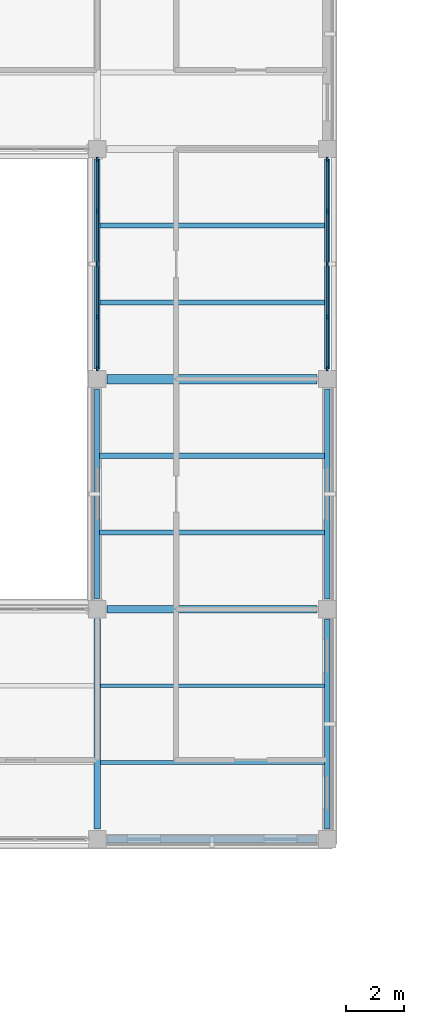
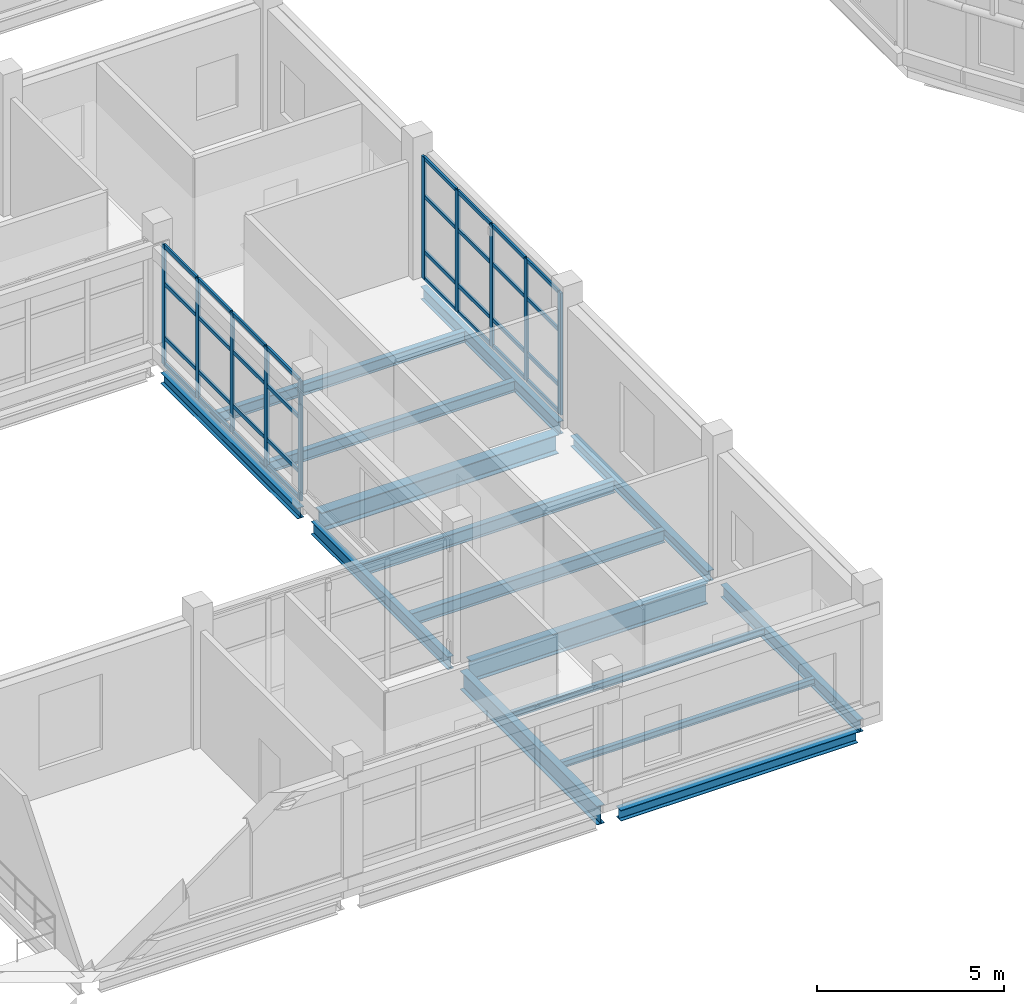
# One storey, part 11 of 121: 42 members, 15 beams, 2 elements without a shape of their own.
"""IFC4 building model written with IfcOpenShell, lengths in metres."""

from ifc_helpers import new_model, si_unit, derived_unit, direction, frame, origin, origin_2d, place, context, subcontext, project, spatial, rectangle, i_section, extrude, material, layer, layer_set, material_profile, profile_set, type_object, element, aggregate, save


model = new_model("IFC4")

# Units and contexts
model_context = context("Model", 3, precision=1e-05, world=origin(), true_north=direction((0.0, 1.0)))
body_context = subcontext(model_context, "Body", "Model", "MODEL_VIEW")
ifc_project = project(units=[si_unit("LENGTHUNIT", "METRE"), si_unit("AREAUNIT", "SQUARE_METRE"), si_unit("VOLUMEUNIT", "CUBIC_METRE"), si_unit("PLANEANGLEUNIT", "RADIAN"), si_unit("MASSUNIT", "GRAM", prefix="KILO"), derived_unit("THERMALTRANSMITTANCEUNIT", [(si_unit("MASSUNIT", "GRAM", prefix="KILO"), 1), (si_unit("TIMEUNIT", "SECOND"), -3), (si_unit("THERMODYNAMICTEMPERATUREUNIT", "KELVIN"), -1)])], contexts=[model_context])

# Site, building, storey
site_placement = place(None, origin())
site = spatial("IfcSite", under=ifc_project, at=site_placement, CompositionType="ELEMENT")
building_placement = place(site_placement, origin())
building = spatial("IfcBuilding", under=site, at=building_placement, Name="Veyamyaing Civic Hall", CompositionType="ELEMENT")
storey_placement = place(building_placement, frame((0.0, 0.0, 5.280029296875)))
storey = spatial("IfcBuildingStorey", under=building, at=storey_placement, Name="L01", CompositionType="ELEMENT", Elevation=5.280029296875)

# Beams
ifc_material_1 = material(Name="Steel ASTM A992", Category="steel")
ifc_material_profile_1 = material_profile(ifc_material_1, i_section(OverallWidth=0.22802734375, OverallDepth=0.60791015625, WebThickness=0.01123046875, FlangeThickness=0.017333984375, FilletRadius=0.012939453125, at=origin_2d()), Name="W610X113")
ifc_profile_set_1 = profile_set([ifc_material_profile_1], Name="Steel ASTM A992")
beam_type_1 = type_object("IfcBeamType", Name="B-06", PredefinedType="BEAM", material=ifc_profile_set_1)
beam_1_placement = place(storey_placement, frame((32.0, 8.35009765625, -0.549072265625), z_axis=(0.0, 1.0, 0.0), x_axis=(-1.0, 0.0, 0.0)))
element("IfcBeam", 1, at=beam_1_placement, inside=storey, type_object=beam_type_1, Name="Girder B-06 L01 Grid 5 B-C", PredefinedType="BEAM", context=body_context, shape_type="SweptSolid", body=[
    extrude(i_section(OverallWidth=0.22802734375, OverallDepth=0.60791015625, WebThickness=0.01123046875, FlangeThickness=0.017333984375, FilletRadius=0.012939453125, at=origin_2d()), origin(), (0.0, 0.0, 1.0), 7.2998046875),
])
ifc_material_profile_2 = material_profile(ifc_material_1, i_section(OverallWidth=0.179931640625, OverallDepth=0.4130859375, WebThickness=0.009765625, FlangeThickness=0.01611328125, FilletRadius=0.010009765625, at=origin_2d()), Name="W410X74")
ifc_profile_set_2 = profile_set([ifc_material_profile_2], Name="Steel ASTM A992")
beam_type_2 = type_object("IfcBeamType", Name="B-10", PredefinedType="SPANDREL", material=ifc_profile_set_2)
for number, where, z_axis, x_axis, name in (
    (2, (32.0, 16.35009765625, -0.451416015625), (0.0, 1.0, 0.0), (-1.0, 0.0, 0.0), "Girder B-10 L01 Grid 5 C-D"),
    (3, (40.0, 8.35009765625, -0.451416015625), (0.0, 1.0, 0.0), (-1.0, 0.0, 0.0), "Girder B-10 L01 Grid 6 B-C"),
):
    element("IfcBeam", number, at=place(storey_placement, frame(where, z_axis=z_axis, x_axis=x_axis)), inside=storey, type_object=beam_type_2, Name=name, PredefinedType="SPANDREL", context=body_context, shape_type="SweptSolid", body=[
        extrude(i_section(OverallWidth=0.179931640625, OverallDepth=0.4130859375, WebThickness=0.009765625, FlangeThickness=0.01611328125, FilletRadius=0.010009765625, at=origin_2d()), origin(), (0.0, 0.0, 1.0), 7.2998046875),
    ])
ifc_material_profile_3 = material_profile(ifc_material_1, i_section(OverallWidth=0.2041015625, OverallDepth=0.35009765625, WebThickness=0.0078125, FlangeThickness=0.01513671875, FilletRadius=0.010009765625, at=origin_2d()), Name="W360X72")
ifc_profile_set_3 = profile_set([ifc_material_profile_3], Name="Steel ASTM A992")
beam_type_3 = type_object("IfcBeamType", Name="B-11", PredefinedType="SPANDREL", material=ifc_profile_set_3)
for number, where, z_axis, x_axis, name in (
    (4, (32.0, 24.35009765625, -0.419921875), (0.0, 1.0, 0.0), (-1.0, 0.0, 0.0), "Girder B-11 L01 Grid 5 D-E"),
    (5, (40.0, 16.35009765625, -0.419921875), (0.0, 1.0, 0.0), (-1.0, 0.0, 0.0), "Girder B-11 L01 Grid 6 C-D"),
):
    element("IfcBeam", number, at=place(storey_placement, frame(where, z_axis=z_axis, x_axis=x_axis)), inside=storey, type_object=beam_type_3, Name=name, PredefinedType="SPANDREL", context=body_context, shape_type="SweptSolid", body=[
        extrude(i_section(OverallWidth=0.2041015625, OverallDepth=0.35009765625, WebThickness=0.0078125, FlangeThickness=0.01513671875, FilletRadius=0.010009765625, at=origin_2d()), origin(), (0.0, 0.0, 1.0), 7.2998046875),
    ])
ifc_material_profile_4 = material_profile(ifc_material_1, i_section(OverallWidth=0.25390625, OverallDepth=0.68408203125, WebThickness=0.012451171875, FlangeThickness=0.01904296875, FilletRadius=0.013916015625, at=origin_2d()), Name="W690X140")
ifc_profile_set_4 = profile_set([ifc_material_profile_4], Name="Steel ASTM A992")
beam_type_4 = type_object("IfcBeamType", Name="B-14", PredefinedType="BEAM", material=ifc_profile_set_4)
beam_2_placement = place(storey_placement, frame((32.35009765625, 16.0, -0.5869140625), z_axis=(1.0, 0.0, 0.0), x_axis=(0.0, 1.0, 0.0)))
element("IfcBeam", 6, at=beam_2_placement, inside=storey, type_object=beam_type_4, Name="Girder B-14 L01 Grid C 5-6", PredefinedType="BEAM", context=body_context, shape_type="SweptSolid", body=[
    extrude(i_section(OverallWidth=0.25390625, OverallDepth=0.68408203125, WebThickness=0.012451171875, FlangeThickness=0.01904296875, FilletRadius=0.013916015625, at=origin_2d()), origin(), (0.0, 0.0, 1.0), 7.2998046875),
])
ifc_material_profile_5 = material_profile(ifc_material_1, i_section(OverallWidth=0.324951171875, OverallDepth=0.615966796875, WebThickness=0.013916015625, FlangeThickness=0.021484375, FilletRadius=0.013916015625, at=origin_2d()), Name="W610X174")
ifc_profile_set_5 = profile_set([ifc_material_profile_5], Name="Steel ASTM A992")
beam_type_5 = type_object("IfcBeamType", Name="B-15", PredefinedType="BEAM", material=ifc_profile_set_5)
beam_3_placement = place(storey_placement, frame((32.35009765625, 24.0, -0.552978515625), z_axis=(1.0, 0.0, 0.0), x_axis=(0.0, 1.0, 0.0)))
element("IfcBeam", 7, at=beam_3_placement, inside=storey, type_object=beam_type_5, Name="Girder B-15 L01 Grid D 5-6", PredefinedType="BEAM", context=body_context, shape_type="SweptSolid", body=[
    extrude(i_section(OverallWidth=0.324951171875, OverallDepth=0.615966796875, WebThickness=0.013916015625, FlangeThickness=0.021484375, FilletRadius=0.013916015625, at=origin_2d()), origin(), (0.0, 0.0, 1.0), 7.2998046875),
])
ifc_material_profile_6 = material_profile(ifc_material_1, i_section(OverallWidth=0.180908203125, OverallDepth=0.4169921875, WebThickness=0.010986328125, FlangeThickness=0.018310546875, FilletRadius=0.010009765625, at=origin_2d()), Name="W410X85")
ifc_profile_set_6 = profile_set([ifc_material_profile_6], Name="Steel ASTM A992")
beam_type_6 = type_object("IfcBeamType", Name="B-19", PredefinedType="SPANDREL", material=ifc_profile_set_6)
beam_4_placement = place(storey_placement, frame((40.0, 24.35009765625, -0.45361328125), z_axis=(0.0, 1.0, 0.0), x_axis=(-1.0, 0.0, 0.0)))
element("IfcBeam", 8, at=beam_4_placement, inside=storey, type_object=beam_type_6, Name="Girder B-19 L01 Grid 6 D-E", PredefinedType="SPANDREL", context=body_context, shape_type="SweptSolid", body=[
    extrude(i_section(OverallWidth=0.180908203125, OverallDepth=0.4169921875, WebThickness=0.010986328125, FlangeThickness=0.018310546875, FilletRadius=0.010009765625, at=origin_2d()), origin(), (0.0, 0.0, 1.0), 7.2998046875),
])
ifc_material_profile_7 = material_profile(ifc_material_1, i_section(OverallWidth=0.25390625, OverallDepth=0.35302734375, WebThickness=0.009521484375, FlangeThickness=0.016357421875, FilletRadius=0.011962890625, at=origin_2d()), Name="W360X91")
ifc_profile_set_7 = profile_set([ifc_material_profile_7], Name="Steel ASTM A992")
beam_type_7 = type_object("IfcBeamType", Name="B-20", PredefinedType="SPANDREL", material=ifc_profile_set_7)
beam_5_placement = place(storey_placement, frame((32.35009765625, 8.0, -0.421630859375), z_axis=(1.0, 0.0, 0.0), x_axis=(0.0, 1.0, 0.0)))
element("IfcBeam", 9, at=beam_5_placement, inside=storey, type_object=beam_type_7, Name="Girder B-20 L01 Grid B 5-6", PredefinedType="SPANDREL", context=body_context, shape_type="SweptSolid", body=[
    extrude(i_section(OverallWidth=0.25390625, OverallDepth=0.35302734375, WebThickness=0.009521484375, FlangeThickness=0.016357421875, FilletRadius=0.011962890625, at=origin_2d()), origin(), (0.0, 0.0, 1.0), 7.2998046875),
])

# Curtain wall, members
ifc_material_2 = material(Name="Anodised aluminium 6063-T6", Category="aluminium")
ifc_layer = layer(ifc_material_2, 0.159912109375, Name="Anodised aluminium 6063-T6")
ifc_layer_set = layer_set([ifc_layer], Name="Anodised aluminium 6063-T6")
curtain_wall_type = type_object("IfcCurtainWallType", Name="CW-02", PredefinedType="NOTDEFINED", material=ifc_layer_set)
curtain_wall_1_placement = place(storey_placement, origin())
curtain_wall_1 = element("IfcCurtainWall", 10, at=curtain_wall_1_placement, inside=storey, type_object=curtain_wall_type, Name="Unitized curtain wall CW-02 L01 W 5.4", PredefinedType="NOTDEFINED")
ifc_material_profile_8 = material_profile(ifc_material_2, rectangle(XDim=0.06494140625, YDim=0.159912109375, at=origin_2d()), Name="ALU-MUL-65X160")
ifc_profile_set_8 = profile_set([ifc_material_profile_8], Name="Anodised aluminium 6063-T6")
member_type_1 = type_object("IfcMemberType", Name="CWM-01", PredefinedType="MULLION", material=ifc_profile_set_8)
member_1_placement = place(storey_placement, frame((32.0, 24.362548828125, 0.0), z_axis=(0.0, 0.0, 1.0), x_axis=(-1.0, 0.0, 0.0)))
member_1 = element("IfcMember", 11, at=member_1_placement, type_object=member_type_1, Name="CW-02 mullion 1", PredefinedType="MULLION", context=body_context, shape_type="SweptSolid", body=[
    extrude(rectangle(XDim=0.06494140625, YDim=0.159912109375, at=origin_2d()), origin(), (0.0, 0.0, 1.0), 3.909912109375),
])
member_2_placement = place(storey_placement, frame((32.0, 26.1650390625, 0.0), z_axis=(0.0, 0.0, 1.0), x_axis=(-1.0, 0.0, 0.0)))
member_2 = element("IfcMember", 12, at=member_2_placement, type_object=member_type_1, Name="CW-02 mullion 2", PredefinedType="MULLION", context=body_context, shape_type="SweptSolid", body=[
    extrude(rectangle(XDim=0.06494140625, YDim=0.159912109375, at=origin_2d()), origin(), (0.0, 0.0, 1.0), 3.909912109375),
])
member_3_placement = place(storey_placement, frame((32.0, 28.0, 0.0), z_axis=(0.0, 0.0, 1.0), x_axis=(-1.0, 0.0, 0.0)))
member_3 = element("IfcMember", 13, at=member_3_placement, type_object=member_type_1, Name="CW-02 mullion 3", PredefinedType="MULLION", context=body_context, shape_type="SweptSolid", body=[
    extrude(rectangle(XDim=0.06494140625, YDim=0.159912109375, at=origin_2d()), origin(), (0.0, 0.0, 1.0), 3.909912109375),
])
member_4_placement = place(storey_placement, frame((32.0, 29.8349609375, 0.0), z_axis=(0.0, 0.0, 1.0), x_axis=(-1.0, 0.0, 0.0)))
member_4 = element("IfcMember", 14, at=member_4_placement, type_object=member_type_1, Name="CW-02 mullion 4", PredefinedType="MULLION", context=body_context, shape_type="SweptSolid", body=[
    extrude(rectangle(XDim=0.06494140625, YDim=0.159912109375, at=origin_2d()), origin(), (0.0, 0.0, 1.0), 3.909912109375),
])
member_5_placement = place(storey_placement, frame((32.0, 31.637451171875, 0.0), z_axis=(0.0, 0.0, 1.0), x_axis=(-1.0, 0.0, 0.0)))
member_5 = element("IfcMember", 15, at=member_5_placement, type_object=member_type_1, Name="CW-02 mullion 5", PredefinedType="MULLION", context=body_context, shape_type="SweptSolid", body=[
    extrude(rectangle(XDim=0.06494140625, YDim=0.159912109375, at=origin_2d()), origin(), (0.0, 0.0, 1.0), 3.909912109375),
])

curtain_wall_2_placement = place(storey_placement, origin())
curtain_wall_2 = element("IfcCurtainWall", 16, at=curtain_wall_2_placement, inside=storey, type_object=curtain_wall_type, Name="Unitized curtain wall CW-02 L01 E 5.4", PredefinedType="NOTDEFINED")
member_6_placement = place(storey_placement, frame((40.0, 24.362548828125, 0.0), z_axis=(0.0, 0.0, 1.0), x_axis=(-1.0, 0.0, 0.0)))
member_6 = element("IfcMember", 17, at=member_6_placement, type_object=member_type_1, Name="CW-02 mullion 1", PredefinedType="MULLION", context=body_context, shape_type="SweptSolid", body=[
    extrude(rectangle(XDim=0.06494140625, YDim=0.159912109375, at=origin_2d()), origin(), (0.0, 0.0, 1.0), 3.973876953125),
])
member_7_placement = place(storey_placement, frame((40.0, 26.1650390625, 0.0), z_axis=(0.0, 0.0, 1.0), x_axis=(-1.0, 0.0, 0.0)))
member_7 = element("IfcMember", 18, at=member_7_placement, type_object=member_type_1, Name="CW-02 mullion 2", PredefinedType="MULLION", context=body_context, shape_type="SweptSolid", body=[
    extrude(rectangle(XDim=0.06494140625, YDim=0.159912109375, at=origin_2d()), origin(), (0.0, 0.0, 1.0), 3.973876953125),
])
member_8_placement = place(storey_placement, frame((40.0, 28.0, 0.0), z_axis=(0.0, 0.0, 1.0), x_axis=(-1.0, 0.0, 0.0)))
member_8 = element("IfcMember", 19, at=member_8_placement, type_object=member_type_1, Name="CW-02 mullion 3", PredefinedType="MULLION", context=body_context, shape_type="SweptSolid", body=[
    extrude(rectangle(XDim=0.06494140625, YDim=0.159912109375, at=origin_2d()), origin(), (0.0, 0.0, 1.0), 3.973876953125),
])
member_9_placement = place(storey_placement, frame((40.0, 29.8349609375, 0.0), z_axis=(0.0, 0.0, 1.0), x_axis=(-1.0, 0.0, 0.0)))
member_9 = element("IfcMember", 20, at=member_9_placement, type_object=member_type_1, Name="CW-02 mullion 4", PredefinedType="MULLION", context=body_context, shape_type="SweptSolid", body=[
    extrude(rectangle(XDim=0.06494140625, YDim=0.159912109375, at=origin_2d()), origin(), (0.0, 0.0, 1.0), 3.973876953125),
])
member_10_placement = place(storey_placement, frame((40.0, 31.637451171875, 0.0), z_axis=(0.0, 0.0, 1.0), x_axis=(-1.0, 0.0, 0.0)))
member_10 = element("IfcMember", 21, at=member_10_placement, type_object=member_type_1, Name="CW-02 mullion 5", PredefinedType="MULLION", context=body_context, shape_type="SweptSolid", body=[
    extrude(rectangle(XDim=0.06494140625, YDim=0.159912109375, at=origin_2d()), origin(), (0.0, 0.0, 1.0), 3.973876953125),
])

# Member
ifc_material_profile_9 = material_profile(ifc_material_2, rectangle(XDim=0.06494140625, YDim=0.1201171875, at=origin_2d()), Name="ALU-TRN-65X120")
ifc_profile_set_9 = profile_set([ifc_material_profile_9], Name="Anodised aluminium 6063-T6")
member_type_2 = type_object("IfcMemberType", Name="CWT-01", PredefinedType="USERDEFINED", material=ifc_profile_set_9)
member_11_placement = place(storey_placement, frame((32.0, 24.39501953125, 0.032470703125), z_axis=(0.0, 1.0, 0.0), x_axis=(-1.0, 0.0, 0.0)))
member_11 = element("IfcMember", 22, at=member_11_placement, type_object=member_type_2, Name="CW-02 transom 1.1", ObjectType="TRANSOM", PredefinedType="USERDEFINED", context=body_context, shape_type="SweptSolid", body=[
    extrude(rectangle(XDim=0.06494140625, YDim=0.1201171875, at=origin_2d()), origin(), (0.0, 0.0, 1.0), 1.737548828125),
])

member_12_placement = place(storey_placement, frame((32.0, 24.39501953125, 0.89990234375), z_axis=(0.0, 1.0, 0.0), x_axis=(-1.0, 0.0, 0.0)))
member_12 = element("IfcMember", 23, at=member_12_placement, type_object=member_type_2, Name="CW-02 transom 1.2", ObjectType="TRANSOM", PredefinedType="USERDEFINED", context=body_context, shape_type="SweptSolid", body=[
    extrude(rectangle(XDim=0.06494140625, YDim=0.1201171875, at=origin_2d()), origin(), (0.0, 0.0, 1.0), 1.737548828125),
])

member_13_placement = place(storey_placement, frame((32.0, 24.39501953125, 2.65869140625), z_axis=(0.0, 1.0, 0.0), x_axis=(-1.0, 0.0, 0.0)))
member_13 = element("IfcMember", 24, at=member_13_placement, type_object=member_type_2, Name="CW-02 transom 1.3", ObjectType="TRANSOM", PredefinedType="USERDEFINED", context=body_context, shape_type="SweptSolid", body=[
    extrude(rectangle(XDim=0.06494140625, YDim=0.1201171875, at=origin_2d()), origin(), (0.0, 0.0, 1.0), 1.737548828125),
])

member_14_placement = place(storey_placement, frame((32.0, 24.39501953125, 3.87744140625), z_axis=(0.0, 1.0, 0.0), x_axis=(-1.0, 0.0, 0.0)))
member_14 = element("IfcMember", 25, at=member_14_placement, type_object=member_type_2, Name="CW-02 transom 1.4", ObjectType="TRANSOM", PredefinedType="USERDEFINED", context=body_context, shape_type="SweptSolid", body=[
    extrude(rectangle(XDim=0.06494140625, YDim=0.1201171875, at=origin_2d()), origin(), (0.0, 0.0, 1.0), 1.737548828125),
])

member_15_placement = place(storey_placement, frame((32.0, 26.197509765625, 0.032470703125), z_axis=(0.0, 1.0, 0.0), x_axis=(-1.0, 0.0, 0.0)))
member_15 = element("IfcMember", 26, at=member_15_placement, type_object=member_type_2, Name="CW-02 transom 2.1", ObjectType="TRANSOM", PredefinedType="USERDEFINED", context=body_context, shape_type="SweptSolid", body=[
    extrude(rectangle(XDim=0.06494140625, YDim=0.1201171875, at=origin_2d()), origin(), (0.0, 0.0, 1.0), 1.77001953125),
])

member_16_placement = place(storey_placement, frame((32.0, 26.197509765625, 0.89990234375), z_axis=(0.0, 1.0, 0.0), x_axis=(-1.0, 0.0, 0.0)))
member_16 = element("IfcMember", 27, at=member_16_placement, type_object=member_type_2, Name="CW-02 transom 2.2", ObjectType="TRANSOM", PredefinedType="USERDEFINED", context=body_context, shape_type="SweptSolid", body=[
    extrude(rectangle(XDim=0.06494140625, YDim=0.1201171875, at=origin_2d()), origin(), (0.0, 0.0, 1.0), 1.77001953125),
])

member_17_placement = place(storey_placement, frame((32.0, 26.197509765625, 2.65869140625), z_axis=(0.0, 1.0, 0.0), x_axis=(-1.0, 0.0, 0.0)))
member_17 = element("IfcMember", 28, at=member_17_placement, type_object=member_type_2, Name="CW-02 transom 2.3", ObjectType="TRANSOM", PredefinedType="USERDEFINED", context=body_context, shape_type="SweptSolid", body=[
    extrude(rectangle(XDim=0.06494140625, YDim=0.1201171875, at=origin_2d()), origin(), (0.0, 0.0, 1.0), 1.77001953125),
])

member_18_placement = place(storey_placement, frame((32.0, 26.197509765625, 3.87744140625), z_axis=(0.0, 1.0, 0.0), x_axis=(-1.0, 0.0, 0.0)))
member_18 = element("IfcMember", 29, at=member_18_placement, type_object=member_type_2, Name="CW-02 transom 2.4", ObjectType="TRANSOM", PredefinedType="USERDEFINED", context=body_context, shape_type="SweptSolid", body=[
    extrude(rectangle(XDim=0.06494140625, YDim=0.1201171875, at=origin_2d()), origin(), (0.0, 0.0, 1.0), 1.77001953125),
])

member_19_placement = place(storey_placement, frame((32.0, 28.032470703125, 0.032470703125), z_axis=(0.0, 1.0, 0.0), x_axis=(-1.0, 0.0, 0.0)))
member_19 = element("IfcMember", 30, at=member_19_placement, type_object=member_type_2, Name="CW-02 transom 3.1", ObjectType="TRANSOM", PredefinedType="USERDEFINED", context=body_context, shape_type="SweptSolid", body=[
    extrude(rectangle(XDim=0.06494140625, YDim=0.1201171875, at=origin_2d()), origin(), (0.0, 0.0, 1.0), 1.77001953125),
])

member_20_placement = place(storey_placement, frame((32.0, 28.032470703125, 0.89990234375), z_axis=(0.0, 1.0, 0.0), x_axis=(-1.0, 0.0, 0.0)))
member_20 = element("IfcMember", 31, at=member_20_placement, type_object=member_type_2, Name="CW-02 transom 3.2", ObjectType="TRANSOM", PredefinedType="USERDEFINED", context=body_context, shape_type="SweptSolid", body=[
    extrude(rectangle(XDim=0.06494140625, YDim=0.1201171875, at=origin_2d()), origin(), (0.0, 0.0, 1.0), 1.77001953125),
])

member_21_placement = place(storey_placement, frame((32.0, 28.032470703125, 2.65869140625), z_axis=(0.0, 1.0, 0.0), x_axis=(-1.0, 0.0, 0.0)))
member_21 = element("IfcMember", 32, at=member_21_placement, type_object=member_type_2, Name="CW-02 transom 3.3", ObjectType="TRANSOM", PredefinedType="USERDEFINED", context=body_context, shape_type="SweptSolid", body=[
    extrude(rectangle(XDim=0.06494140625, YDim=0.1201171875, at=origin_2d()), origin(), (0.0, 0.0, 1.0), 1.77001953125),
])

member_22_placement = place(storey_placement, frame((32.0, 28.032470703125, 3.87744140625), z_axis=(0.0, 1.0, 0.0), x_axis=(-1.0, 0.0, 0.0)))
member_22 = element("IfcMember", 33, at=member_22_placement, type_object=member_type_2, Name="CW-02 transom 3.4", ObjectType="TRANSOM", PredefinedType="USERDEFINED", context=body_context, shape_type="SweptSolid", body=[
    extrude(rectangle(XDim=0.06494140625, YDim=0.1201171875, at=origin_2d()), origin(), (0.0, 0.0, 1.0), 1.77001953125),
])

member_23_placement = place(storey_placement, frame((32.0, 29.867431640625, 0.032470703125), z_axis=(0.0, 1.0, 0.0), x_axis=(-1.0, 0.0, 0.0)))
member_23 = element("IfcMember", 34, at=member_23_placement, type_object=member_type_2, Name="CW-02 transom 4.1", ObjectType="TRANSOM", PredefinedType="USERDEFINED", context=body_context, shape_type="SweptSolid", body=[
    extrude(rectangle(XDim=0.06494140625, YDim=0.1201171875, at=origin_2d()), origin(), (0.0, 0.0, 1.0), 1.737548828125),
])

member_24_placement = place(storey_placement, frame((32.0, 29.867431640625, 0.89990234375), z_axis=(0.0, 1.0, 0.0), x_axis=(-1.0, 0.0, 0.0)))
member_24 = element("IfcMember", 35, at=member_24_placement, type_object=member_type_2, Name="CW-02 transom 4.2", ObjectType="TRANSOM", PredefinedType="USERDEFINED", context=body_context, shape_type="SweptSolid", body=[
    extrude(rectangle(XDim=0.06494140625, YDim=0.1201171875, at=origin_2d()), origin(), (0.0, 0.0, 1.0), 1.737548828125),
])

member_25_placement = place(storey_placement, frame((32.0, 29.867431640625, 2.65869140625), z_axis=(0.0, 1.0, 0.0), x_axis=(-1.0, 0.0, 0.0)))
member_25 = element("IfcMember", 36, at=member_25_placement, type_object=member_type_2, Name="CW-02 transom 4.3", ObjectType="TRANSOM", PredefinedType="USERDEFINED", context=body_context, shape_type="SweptSolid", body=[
    extrude(rectangle(XDim=0.06494140625, YDim=0.1201171875, at=origin_2d()), origin(), (0.0, 0.0, 1.0), 1.737548828125),
])

member_26_placement = place(storey_placement, frame((32.0, 29.867431640625, 3.87744140625), z_axis=(0.0, 1.0, 0.0), x_axis=(-1.0, 0.0, 0.0)))
member_26 = element("IfcMember", 37, at=member_26_placement, type_object=member_type_2, Name="CW-02 transom 4.4", ObjectType="TRANSOM", PredefinedType="USERDEFINED", context=body_context, shape_type="SweptSolid", body=[
    extrude(rectangle(XDim=0.06494140625, YDim=0.1201171875, at=origin_2d()), origin(), (0.0, 0.0, 1.0), 1.737548828125),
])

aggregate(curtain_wall_1, [member_1, member_2, member_3, member_4, member_5, member_11, member_12, member_13, member_14, member_15, member_16, member_17, member_18, member_19, member_20, member_21, member_22, member_23, member_24, member_25, member_26])

member_27_placement = place(storey_placement, frame((40.0, 24.39501953125, 0.032470703125), z_axis=(0.0, 1.0, 0.0), x_axis=(-1.0, 0.0, 0.0)))
member_27 = element("IfcMember", 38, at=member_27_placement, type_object=member_type_2, Name="CW-02 transom 1.1", ObjectType="TRANSOM", PredefinedType="USERDEFINED", context=body_context, shape_type="SweptSolid", body=[
    extrude(rectangle(XDim=0.06494140625, YDim=0.1201171875, at=origin_2d()), origin(), (0.0, 0.0, 1.0), 1.737548828125),
])

member_28_placement = place(storey_placement, frame((40.0, 24.39501953125, 0.89990234375), z_axis=(0.0, 1.0, 0.0), x_axis=(-1.0, 0.0, 0.0)))
member_28 = element("IfcMember", 39, at=member_28_placement, type_object=member_type_2, Name="CW-02 transom 1.2", ObjectType="TRANSOM", PredefinedType="USERDEFINED", context=body_context, shape_type="SweptSolid", body=[
    extrude(rectangle(XDim=0.06494140625, YDim=0.1201171875, at=origin_2d()), origin(), (0.0, 0.0, 1.0), 1.737548828125),
])

member_29_placement = place(storey_placement, frame((40.0, 24.39501953125, 2.702392578125), z_axis=(0.0, 1.0, 0.0), x_axis=(-1.0, 0.0, 0.0)))
member_29 = element("IfcMember", 40, at=member_29_placement, type_object=member_type_2, Name="CW-02 transom 1.3", ObjectType="TRANSOM", PredefinedType="USERDEFINED", context=body_context, shape_type="SweptSolid", body=[
    extrude(rectangle(XDim=0.06494140625, YDim=0.1201171875, at=origin_2d()), origin(), (0.0, 0.0, 1.0), 1.737548828125),
])

member_30_placement = place(storey_placement, frame((40.0, 24.39501953125, 3.94140625), z_axis=(0.0, 1.0, 0.0), x_axis=(-1.0, 0.0, 0.0)))
member_30 = element("IfcMember", 41, at=member_30_placement, type_object=member_type_2, Name="CW-02 transom 1.4", ObjectType="TRANSOM", PredefinedType="USERDEFINED", context=body_context, shape_type="SweptSolid", body=[
    extrude(rectangle(XDim=0.06494140625, YDim=0.1201171875, at=origin_2d()), origin(), (0.0, 0.0, 1.0), 1.737548828125),
])

member_31_placement = place(storey_placement, frame((40.0, 26.197509765625, 0.032470703125), z_axis=(0.0, 1.0, 0.0), x_axis=(-1.0, 0.0, 0.0)))
member_31 = element("IfcMember", 42, at=member_31_placement, type_object=member_type_2, Name="CW-02 transom 2.1", ObjectType="TRANSOM", PredefinedType="USERDEFINED", context=body_context, shape_type="SweptSolid", body=[
    extrude(rectangle(XDim=0.06494140625, YDim=0.1201171875, at=origin_2d()), origin(), (0.0, 0.0, 1.0), 1.77001953125),
])

member_32_placement = place(storey_placement, frame((40.0, 26.197509765625, 0.89990234375), z_axis=(0.0, 1.0, 0.0), x_axis=(-1.0, 0.0, 0.0)))
member_32 = element("IfcMember", 43, at=member_32_placement, type_object=member_type_2, Name="CW-02 transom 2.2", ObjectType="TRANSOM", PredefinedType="USERDEFINED", context=body_context, shape_type="SweptSolid", body=[
    extrude(rectangle(XDim=0.06494140625, YDim=0.1201171875, at=origin_2d()), origin(), (0.0, 0.0, 1.0), 1.77001953125),
])

member_33_placement = place(storey_placement, frame((40.0, 26.197509765625, 2.702392578125), z_axis=(0.0, 1.0, 0.0), x_axis=(-1.0, 0.0, 0.0)))
member_33 = element("IfcMember", 44, at=member_33_placement, type_object=member_type_2, Name="CW-02 transom 2.3", ObjectType="TRANSOM", PredefinedType="USERDEFINED", context=body_context, shape_type="SweptSolid", body=[
    extrude(rectangle(XDim=0.06494140625, YDim=0.1201171875, at=origin_2d()), origin(), (0.0, 0.0, 1.0), 1.77001953125),
])

member_34_placement = place(storey_placement, frame((40.0, 26.197509765625, 3.94140625), z_axis=(0.0, 1.0, 0.0), x_axis=(-1.0, 0.0, 0.0)))
member_34 = element("IfcMember", 45, at=member_34_placement, type_object=member_type_2, Name="CW-02 transom 2.4", ObjectType="TRANSOM", PredefinedType="USERDEFINED", context=body_context, shape_type="SweptSolid", body=[
    extrude(rectangle(XDim=0.06494140625, YDim=0.1201171875, at=origin_2d()), origin(), (0.0, 0.0, 1.0), 1.77001953125),
])

member_35_placement = place(storey_placement, frame((40.0, 28.032470703125, 0.032470703125), z_axis=(0.0, 1.0, 0.0), x_axis=(-1.0, 0.0, 0.0)))
member_35 = element("IfcMember", 46, at=member_35_placement, type_object=member_type_2, Name="CW-02 transom 3.1", ObjectType="TRANSOM", PredefinedType="USERDEFINED", context=body_context, shape_type="SweptSolid", body=[
    extrude(rectangle(XDim=0.06494140625, YDim=0.1201171875, at=origin_2d()), origin(), (0.0, 0.0, 1.0), 1.77001953125),
])

member_36_placement = place(storey_placement, frame((40.0, 28.032470703125, 0.89990234375), z_axis=(0.0, 1.0, 0.0), x_axis=(-1.0, 0.0, 0.0)))
member_36 = element("IfcMember", 47, at=member_36_placement, type_object=member_type_2, Name="CW-02 transom 3.2", ObjectType="TRANSOM", PredefinedType="USERDEFINED", context=body_context, shape_type="SweptSolid", body=[
    extrude(rectangle(XDim=0.06494140625, YDim=0.1201171875, at=origin_2d()), origin(), (0.0, 0.0, 1.0), 1.77001953125),
])

member_37_placement = place(storey_placement, frame((40.0, 28.032470703125, 2.702392578125), z_axis=(0.0, 1.0, 0.0), x_axis=(-1.0, 0.0, 0.0)))
member_37 = element("IfcMember", 48, at=member_37_placement, type_object=member_type_2, Name="CW-02 transom 3.3", ObjectType="TRANSOM", PredefinedType="USERDEFINED", context=body_context, shape_type="SweptSolid", body=[
    extrude(rectangle(XDim=0.06494140625, YDim=0.1201171875, at=origin_2d()), origin(), (0.0, 0.0, 1.0), 1.77001953125),
])

member_38_placement = place(storey_placement, frame((40.0, 28.032470703125, 3.94140625), z_axis=(0.0, 1.0, 0.0), x_axis=(-1.0, 0.0, 0.0)))
member_38 = element("IfcMember", 49, at=member_38_placement, type_object=member_type_2, Name="CW-02 transom 3.4", ObjectType="TRANSOM", PredefinedType="USERDEFINED", context=body_context, shape_type="SweptSolid", body=[
    extrude(rectangle(XDim=0.06494140625, YDim=0.1201171875, at=origin_2d()), origin(), (0.0, 0.0, 1.0), 1.77001953125),
])

member_39_placement = place(storey_placement, frame((40.0, 29.867431640625, 0.032470703125), z_axis=(0.0, 1.0, 0.0), x_axis=(-1.0, 0.0, 0.0)))
member_39 = element("IfcMember", 50, at=member_39_placement, type_object=member_type_2, Name="CW-02 transom 4.1", ObjectType="TRANSOM", PredefinedType="USERDEFINED", context=body_context, shape_type="SweptSolid", body=[
    extrude(rectangle(XDim=0.06494140625, YDim=0.1201171875, at=origin_2d()), origin(), (0.0, 0.0, 1.0), 1.737548828125),
])

member_40_placement = place(storey_placement, frame((40.0, 29.867431640625, 0.89990234375), z_axis=(0.0, 1.0, 0.0), x_axis=(-1.0, 0.0, 0.0)))
member_40 = element("IfcMember", 51, at=member_40_placement, type_object=member_type_2, Name="CW-02 transom 4.2", ObjectType="TRANSOM", PredefinedType="USERDEFINED", context=body_context, shape_type="SweptSolid", body=[
    extrude(rectangle(XDim=0.06494140625, YDim=0.1201171875, at=origin_2d()), origin(), (0.0, 0.0, 1.0), 1.737548828125),
])

member_41_placement = place(storey_placement, frame((40.0, 29.867431640625, 2.702392578125), z_axis=(0.0, 1.0, 0.0), x_axis=(-1.0, 0.0, 0.0)))
member_41 = element("IfcMember", 52, at=member_41_placement, type_object=member_type_2, Name="CW-02 transom 4.3", ObjectType="TRANSOM", PredefinedType="USERDEFINED", context=body_context, shape_type="SweptSolid", body=[
    extrude(rectangle(XDim=0.06494140625, YDim=0.1201171875, at=origin_2d()), origin(), (0.0, 0.0, 1.0), 1.737548828125),
])

member_42_placement = place(storey_placement, frame((40.0, 29.867431640625, 3.94140625), z_axis=(0.0, 1.0, 0.0), x_axis=(-1.0, 0.0, 0.0)))
member_42 = element("IfcMember", 53, at=member_42_placement, type_object=member_type_2, Name="CW-02 transom 4.4", ObjectType="TRANSOM", PredefinedType="USERDEFINED", context=body_context, shape_type="SweptSolid", body=[
    extrude(rectangle(XDim=0.06494140625, YDim=0.1201171875, at=origin_2d()), origin(), (0.0, 0.0, 1.0), 1.737548828125),
])

aggregate(curtain_wall_2, [member_6, member_7, member_8, member_9, member_10, member_27, member_28, member_29, member_30, member_31, member_32, member_33, member_34, member_35, member_36, member_37, member_38, member_39, member_40, member_41, member_42])

# Beams
ifc_material_profile_10 = material_profile(ifc_material_1, i_section(OverallWidth=0.177978515625, OverallDepth=0.406982421875, WebThickness=0.0078125, FlangeThickness=0.0126953125, FilletRadius=0.010009765625, at=origin_2d()), Name="W410X60")
ifc_profile_set_10 = profile_set([ifc_material_profile_10], Name="Steel ASTM A992")
beam_type_8 = type_object("IfcBeamType", Name="J-01", PredefinedType="JOIST", material=ifc_profile_set_10)
for number, where, z_axis, x_axis, name in (
    (54, (32.087890625, 18.666748046875, -0.448486328125), (1.0, 0.0, 0.0), (0.0, 1.0, 0.0), "Composite floor joist J-01 L01 5.3.1"),
    (55, (32.087890625, 21.333251953125, -0.448486328125), (1.0, 0.0, 0.0), (0.0, 1.0, 0.0), "Composite floor joist J-01 L01 5.3.2"),
):
    element("IfcBeam", number, at=place(storey_placement, frame(where, z_axis=z_axis, x_axis=x_axis)), inside=storey, type_object=beam_type_8, Name=name, PredefinedType="JOIST", context=body_context, shape_type="SweptSolid", body=[
        extrude(i_section(OverallWidth=0.177978515625, OverallDepth=0.406982421875, WebThickness=0.0078125, FlangeThickness=0.0126953125, FilletRadius=0.010009765625, at=origin_2d()), origin(), (0.0, 0.0, 1.0), 7.81201171875),
    ])
ifc_material_profile_11 = material_profile(ifc_material_1, i_section(OverallWidth=0.172119140625, OverallDepth=0.35791015625, WebThickness=0.0078125, FlangeThickness=0.01318359375, FilletRadius=0.010009765625, at=origin_2d()), Name="W360X57")
ifc_profile_set_11 = profile_set([ifc_material_profile_11], Name="Steel ASTM A992")
beam_type_9 = type_object("IfcBeamType", Name="J-02", PredefinedType="JOIST", material=ifc_profile_set_11)
for number, where, z_axis, x_axis, name in (
    (56, (32.10009765625, 26.666748046875, -0.424072265625), (1.0, 0.0, 0.0), (0.0, 1.0, 0.0), "Composite floor joist J-02 L01 5.4.1"),
    (57, (32.10009765625, 29.333251953125, -0.424072265625), (1.0, 0.0, 0.0), (0.0, 1.0, 0.0), "Composite floor joist J-02 L01 5.4.2"),
):
    element("IfcBeam", number, at=place(storey_placement, frame(where, z_axis=z_axis, x_axis=x_axis)), inside=storey, type_object=beam_type_9, Name=name, PredefinedType="JOIST", context=body_context, shape_type="SweptSolid", body=[
        extrude(i_section(OverallWidth=0.172119140625, OverallDepth=0.35791015625, WebThickness=0.0078125, FlangeThickness=0.01318359375, FilletRadius=0.010009765625, at=origin_2d()), origin(), (0.0, 0.0, 1.0), 7.8115234375),
    ])
ifc_material_profile_12 = material_profile(ifc_material_1, i_section(OverallWidth=0.133056640625, OverallDepth=0.20703125, WebThickness=0.005859375, FlangeThickness=0.00830078125, FilletRadius=0.010009765625, at=origin_2d()), Name="W200X27")
ifc_profile_set_12 = profile_set([ifc_material_profile_12], Name="Steel ASTM A992")
beam_type_10 = type_object("IfcBeamType", Name="J-08", PredefinedType="JOIST", material=ifc_profile_set_12)
for number, where, z_axis, x_axis, name in (
    (58, (32.112060546875, 10.666748046875, -0.3486328125), (1.0, 0.0, 0.0), (0.0, 1.0, 0.0), "Composite floor joist J-08 L01 5.2.1"),
    (59, (32.112060546875, 13.333251953125, -0.3486328125), (1.0, 0.0, 0.0), (0.0, 1.0, 0.0), "Composite floor joist J-08 L01 5.2.2"),
):
    element("IfcBeam", number, at=place(storey_placement, frame(where, z_axis=z_axis, x_axis=x_axis)), inside=storey, type_object=beam_type_10, Name=name, PredefinedType="JOIST", context=body_context, shape_type="SweptSolid", body=[
        extrude(i_section(OverallWidth=0.133056640625, OverallDepth=0.20703125, WebThickness=0.005859375, FlangeThickness=0.00830078125, FilletRadius=0.010009765625, at=origin_2d()), origin(), (0.0, 0.0, 1.0), 7.800048828125),
    ])

save(model, "model.ifc")
